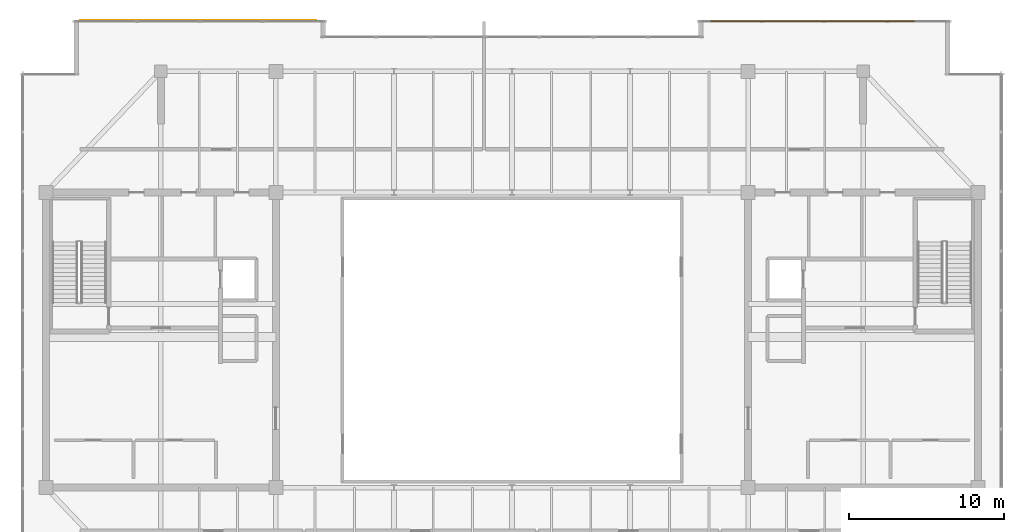
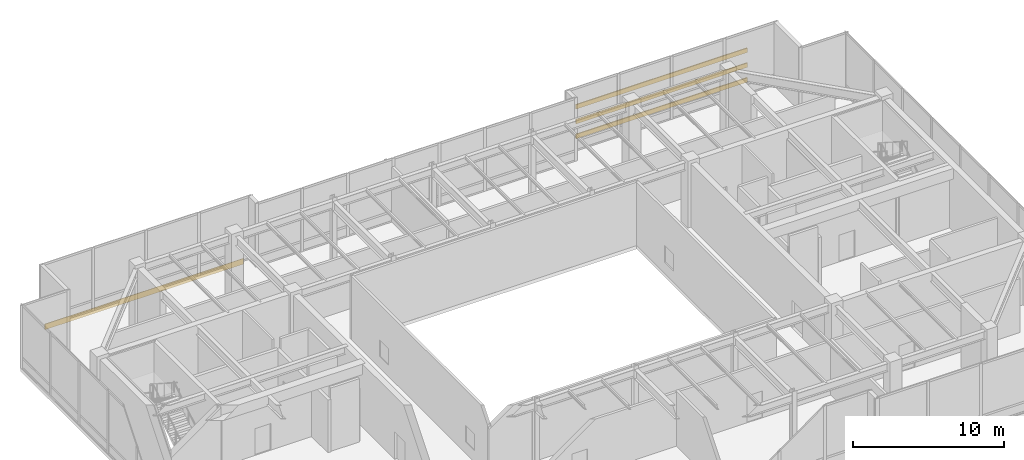
# One storey, part 30 of 30: 3 shading devices, 1 covering.
"""IFC4 building model written with IfcOpenShell, lengths in metres."""

from ifc_helpers import new_model, si_unit, direction, frame, frame_2d, origin, origin_2d, place, context, subcontext, project, spatial, rectangle, extrude, source, transform, mapped, material, layer, layer_set, material_profile, profile_set, type_object, type_shapes, element, save


model = new_model("IFC4")

# Units and contexts
model_context = context("Model", 3, precision=1e-05, world=origin(), true_north=direction((0.0, 1.0)))
body_context = subcontext(model_context, "Body", "Model", "MODEL_VIEW")
ifc_project = project(units=[si_unit("LENGTHUNIT", "METRE"), si_unit("AREAUNIT", "SQUARE_METRE"), si_unit("VOLUMEUNIT", "CUBIC_METRE"), si_unit("PLANEANGLEUNIT", "RADIAN"), si_unit("MASSUNIT", "GRAM", prefix="KILO")], contexts=[model_context])

# Site, building, storey
site_placement = place(None, origin())
site = spatial("IfcSite", under=ifc_project, at=site_placement, CompositionType="ELEMENT")
building_placement = place(site_placement, origin())
building = spatial("IfcBuilding", under=site, at=building_placement, Name="Haelvirn Gate Laboratories", CompositionType="ELEMENT")
storey_placement = place(building_placement, frame((0.0, 0.0, 332.39990234375)))
storey = spatial("IfcBuildingStorey", under=building, at=storey_placement, Name="L79", CompositionType="ELEMENT", Elevation=332.39990234375)

# Covering
ifc_material_1 = material(Name="Anodised bronze honeycomb aluminium spandrel cladding", Category="aluminium")
ifc_layer = layer(ifc_material_1, 0.044921875, Name="COV-CLAD-BRZ")
ifc_layer_set = layer_set([ifc_layer], Name="Anodised bronze honeycomb aluminium spandrel cladding")
covering_type = type_object("IfcCoveringType", Name="COV-CLAD-BRZ", PredefinedType="CLADDING", material=ifc_layer_set)
covering_placement = place(storey_placement, frame((9.60009765625, 44.8701171875, -0.2998046875), z_axis=(0.0, 0.0, 1.0), x_axis=(1.0, 0.0, 0.0)))
element("IfcCovering", 1, at=covering_placement, inside=storey, type_object=covering_type, Name="L79 Bronze Slab-Edge Spandrel Cladding NW", PredefinedType="CLADDING", context=body_context, shape_type="SweptSolid", body=[
    extrude(rectangle(XDim=15.199951171875, YDim=0.044921875, at=frame_2d((7.60009765625, 0.0))), origin(), (0.0, 0.0, 1.0), 0.449951171875),
])

# Shading devices
ifc_material_2 = material(Name="Extruded aluminium 6063-T6 (anodised bronze)", Category="aluminium")
ifc_material_profile = material_profile(ifc_material_2, rectangle(XDim=0.080078125, YDim=0.360107421875, at=origin_2d()), Name="LOUV-360x80")
ifc_profile_set = profile_set([ifc_material_profile], Name="Extruded aluminium 6063-T6 (anodised bronze)")
shading_device_type = type_object("IfcShadingDeviceType", Name="SHD-LOUV-360", PredefinedType="USERDEFINED", material=ifc_profile_set)
shared_shape = source(origin(), body_context, "Body", "SweptSolid", [
    extrude(rectangle(XDim=0.080078125, YDim=0.360107421875, at=origin_2d()), origin(), (0.0, 0.0, 1.0), 13.10009765625),
])
type_shapes(shading_device_type, [shared_shape])
for number, where, z_axis, x_axis, name in (
    (2, (50.199951171875, 44.820068359375, 1.150146484375), (1.0, 0.0, 0.0), (0.0, 1.0, 0.0), "L79 North Acoustic Plant Louvre 1"),
    (3, (50.199951171875, 44.820068359375, 2.35009765625), (1.0, 0.0, 0.0), (0.0, 1.0, 0.0), "L79 North Acoustic Plant Louvre 2"),
    (4, (50.199951171875, 44.820068359375, 3.550048828125), (1.0, 0.0, 0.0), (0.0, 1.0, 0.0), "L79 North Acoustic Plant Louvre 3"),
):
    element("IfcShadingDevice", number, at=place(storey_placement, frame(where, z_axis=z_axis, x_axis=x_axis)), inside=storey, type_object=shading_device_type, Name=name, ObjectType="LOUVRE", PredefinedType="USERDEFINED", context=body_context, shape_type="MappedRepresentation", body=[
        mapped(shared_shape, transform((0.0, 0.0, 0.0), scale=1.0)),
    ])

save(model, "model.ifc")
